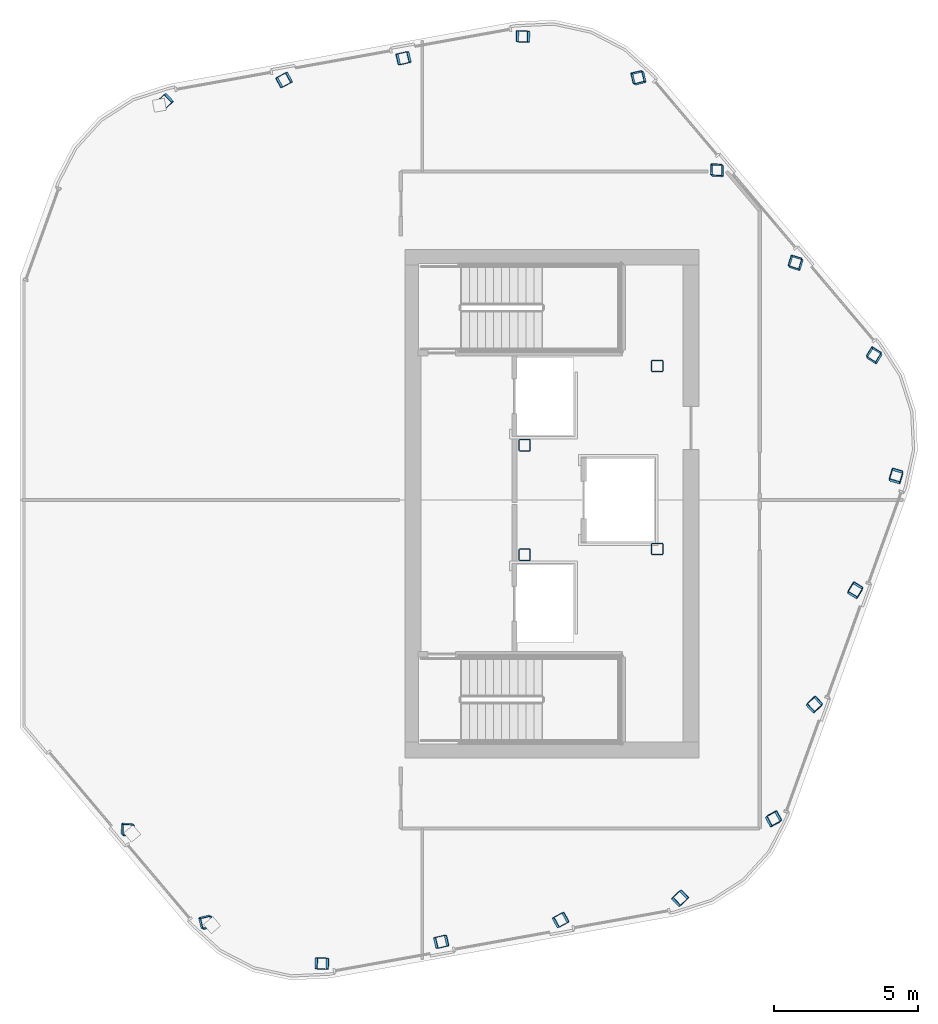
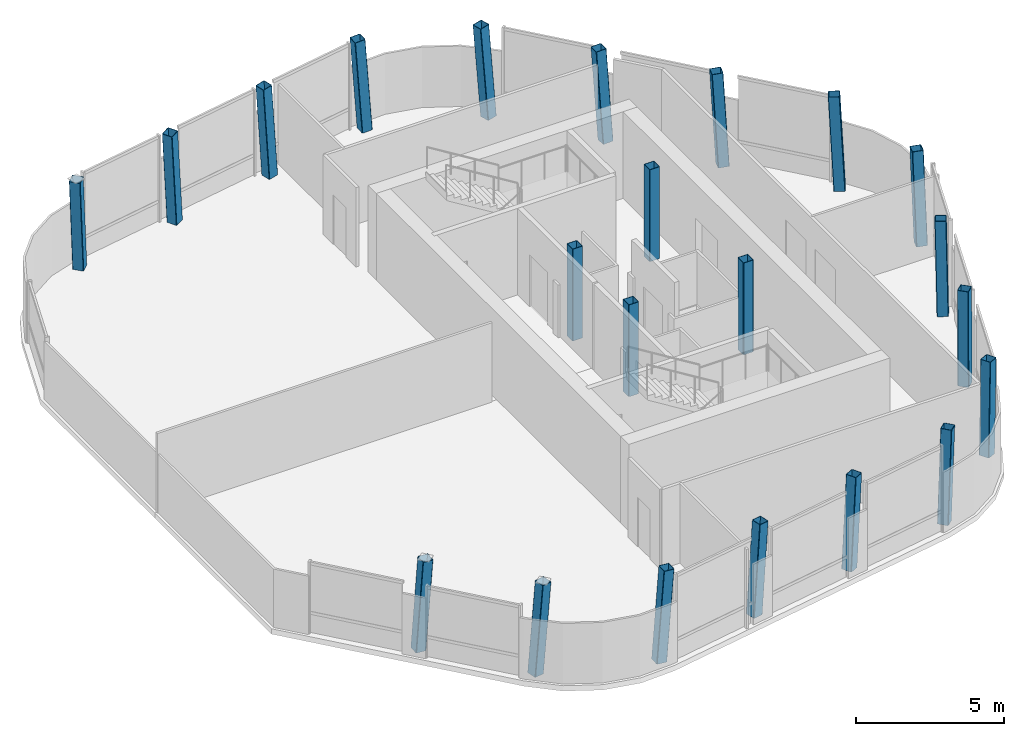
# One storey, part 1 of 8: 22 columns.
"""IFC4 building model written with IfcOpenShell, lengths in metres."""

from ifc_helpers import new_model, si_unit, direction, frame, origin, origin_2d, place, context, subcontext, project, spatial, hollow_rectangle, extrude, material, material_profile, profile_set, type_object, element, save


model = new_model("IFC4")

# Units and contexts
model_context = context("Model", 3, precision=1e-05, world=origin(), true_north=direction((0.0, 1.0)))
body_context = subcontext(model_context, "Body", "Model", "MODEL_VIEW")
ifc_project = project(units=[si_unit("LENGTHUNIT", "METRE"), si_unit("AREAUNIT", "SQUARE_METRE"), si_unit("VOLUMEUNIT", "CUBIC_METRE"), si_unit("PLANEANGLEUNIT", "RADIAN"), si_unit("MASSUNIT", "GRAM", prefix="KILO")], contexts=[model_context])

# Site, building, storey
site_placement = place(None, origin())
site = spatial("IfcSite", under=ifc_project, at=site_placement, CompositionType="ELEMENT")
building_placement = place(site_placement, origin())
building = spatial("IfcBuilding", under=site, at=building_placement, Name="Valkerne Bourse Tower", CompositionType="ELEMENT")
storey_placement = place(building_placement, frame((0.0, 0.0, 326.800048828125)))
storey = spatial("IfcBuildingStorey", under=building, at=storey_placement, Name="L83", CompositionType="ELEMENT", Elevation=326.800048828125)

# Columns
ifc_material = material(Name="Steel ASTM A500 Grade C", Category="steel")
ifc_material_profile = material_profile(ifc_material, hollow_rectangle(XDim=0.39990234375, YDim=0.39990234375, WallThickness=0.01611328125, OuterFilletRadius=0.031982421875, at=origin_2d()), Name="HSS400X400X16")
ifc_profile_set = profile_set([ifc_material_profile], Name="Steel ASTM A500 Grade C")
column_type = type_object("IfcColumnType", Name="COL-HSS400X400X16", PredefinedType="COLUMN", material=ifc_profile_set)
for number, where, z_axis, x_axis, name in (
    (1, (50.35009765625, 25.10009765625, 0.0048828125), (0.0, 0.0, 1.0), (1.0, 0.0, 0.0), "L83 Core Frame Column CC-CE1"),
    (2, (50.35009765625, 28.89990234375, 0.0048828125), (0.0, 0.0, 1.0), (1.0, 0.0, 0.0), "L83 Core Frame Column CC-CE2"),
    (3, (54.949951171875, 25.300048828125, 0.0048828125), (0.0, 0.0, 1.0), (1.0, 0.0, 0.0), "L83 Core Frame Column CC-SE"),
    (4, (54.949951171875, 31.64990234375, 0.0048828125), (0.0, 0.0, 1.0), (1.0, 0.0, 0.0), "L83 Core Frame Column CC-NE"),
):
    element("IfcColumn", number, at=place(storey_placement, frame(where, z_axis=z_axis, x_axis=x_axis)), inside=storey, type_object=column_type, Name=name, PredefinedType="COLUMN", context=body_context, shape_type="SweptSolid", body=[
        extrude(hollow_rectangle(XDim=0.39990234375, YDim=0.39990234375, WallThickness=0.01611328125, OuterFilletRadius=0.031982421875, at=origin_2d()), origin(), (0.0, 0.0, 1.0), 3.795166015625),
    ])
column_1_placement = place(storey_placement, frame((50.32666015625, 43.077392578125, 0.010009765625), z_axis=(-0.066738998458, 0.014107954307, 0.99767072309), x_axis=(0.03069841611, 0.999455696754, -0.012079630561)))
element("IfcColumn", 5, at=column_1_placement, inside=storey, type_object=column_type, Name="L83 Helical Perimeter Tube Column F1-C1", PredefinedType="COLUMN", context=body_context, shape_type="SweptSolid", body=[
    extrude(hollow_rectangle(XDim=0.39990234375, YDim=0.39990234375, WallThickness=0.01611328125, OuterFilletRadius=0.031982421875, at=origin_2d()), origin(), (0.0, 0.0, 1.0), 3.789794921875),
])
for number, where, z_axis, x_axis, name in (
    (6, (46.18115234375, 42.33154296875, 0.010009765625), (-0.063537355349, -0.003093096406, 0.997974667629), (-0.224372532221, 0.974438335967, -0.011264820601), "L83 Helical Perimeter Tube Column F1-C2"),
    (7, (42.035888671875, 41.585693359375, 0.010009765625), (-0.060315355881, -0.020233997593, 0.997974269802), (-0.48057311285, 0.876882296618, -0.011265925776), "L83 Helical Perimeter Tube Column F1-C3"),
):
    element("IfcColumn", number, at=place(storey_placement, frame(where, z_axis=z_axis, x_axis=x_axis)), inside=storey, type_object=column_type, Name=name, PredefinedType="COLUMN", context=body_context, shape_type="SweptSolid", body=[
        extrude(hollow_rectangle(XDim=0.39990234375, YDim=0.39990234375, WallThickness=0.01611328125, OuterFilletRadius=0.031982421875, at=origin_2d()), origin(), (0.0, 0.0, 1.0), 3.78857421875),
    ])
column_2_placement = place(storey_placement, frame((37.890380859375, 40.839599609375, 0.010009765625), z_axis=(-0.057075999594, -0.037363521179, 0.997670435342), x_axis=(-0.686867418958, 0.726682333138, -0.012080375798)))
element("IfcColumn", 8, at=column_2_placement, inside=storey, type_object=column_type, Name="L83 Helical Perimeter Tube Column F1-C4", PredefinedType="COLUMN", context=body_context, shape_type="SweptSolid", body=[
    extrude(hollow_rectangle(XDim=0.39990234375, YDim=0.39990234375, WallThickness=0.01611328125, OuterFilletRadius=0.031982421875, at=origin_2d()), origin(), (0.0, 0.0, 1.0), 3.789794921875),
])
column_3_placement = place(storey_placement, frame((36.550537109375, 15.581298828125, 0.010009765625), z_axis=(0.047685155478, -0.042143367138, 0.997972976865), x_axis=(0.998594357516, -0.021133833495, -0.048607306235)))
element("IfcColumn", 9, at=column_3_placement, inside=storey, type_object=column_type, Name="L83 Helical Perimeter Tube Column F3-C3", PredefinedType="COLUMN", context=body_context, shape_type="SweptSolid", body=[
    extrude(hollow_rectangle(XDim=0.39990234375, YDim=0.39990234375, WallThickness=0.01611328125, OuterFilletRadius=0.031982421875, at=origin_2d()), origin(), (0.0, 0.0, 1.0), 3.78857421875),
])
for number, where, z_axis, x_axis, name in (
    (10, (39.269287109375, 12.3642578125, 0.010009765625), (0.060876877935, -0.030728328862, 0.997672178392), (0.971119449218, 0.23283931598, -0.052085202156), "L83 Helical Perimeter Tube Column F3-C4"),
    (11, (43.273193359375, 10.922607421875, 0.010009765625), (0.066803130995, -0.014107893624, 0.997666431743), (0.030504129067, 0.999461511074, 0.012090739916), "L83 Helical Perimeter Tube Column F4-C1"),
):
    element("IfcColumn", number, at=place(storey_placement, frame(where, z_axis=z_axis, x_axis=x_axis)), inside=storey, type_object=column_type, Name=name, PredefinedType="COLUMN", context=body_context, shape_type="SweptSolid", body=[
        extrude(hollow_rectangle(XDim=0.39990234375, YDim=0.39990234375, WallThickness=0.01611328125, OuterFilletRadius=0.031982421875, at=origin_2d()), origin(), (0.0, 0.0, 1.0), 3.789794921875),
    ])
for number, where, z_axis, x_axis, name in (
    (12, (47.418701171875, 11.66845703125, 0.010009765625), (0.063537355349, 0.003093096406, 0.997974667629), (-0.224372532221, 0.974438335967, 0.011264820601), "L83 Helical Perimeter Tube Column F4-C2"),
    (13, (51.564208984375, 12.414306640625, 0.010009765625), (0.060315355881, 0.020233997593, 0.997974269802), (-0.48057311285, 0.876882296618, 0.011265925776), "L83 Helical Perimeter Tube Column F4-C3"),
):
    element("IfcColumn", number, at=place(storey_placement, frame(where, z_axis=z_axis, x_axis=x_axis)), inside=storey, type_object=column_type, Name=name, PredefinedType="COLUMN", context=body_context, shape_type="SweptSolid", body=[
        extrude(hollow_rectangle(XDim=0.39990234375, YDim=0.39990234375, WallThickness=0.01611328125, OuterFilletRadius=0.031982421875, at=origin_2d()), origin(), (0.0, 0.0, 1.0), 3.78857421875),
    ])
for number, where, z_axis, x_axis, name in (
    (14, (55.709716796875, 13.160400390625, 0.010009765625), (0.057011789235, 0.037363658481, 0.997674101555), (-0.687244016254, 0.726326342663, 0.012070877229), "L83 Helical Perimeter Tube Column F4-C4"),
    (15, (58.960205078125, 15.906982421875, 0.010009765625), (0.045544751874, 0.050827170054, 0.997668419046), (-0.878703681412, -0.47302912998, 0.06421279049), "L83 Helical Perimeter Tube Column F5-C1"),
):
    element("IfcColumn", number, at=place(storey_placement, frame(where, z_axis=z_axis, x_axis=x_axis)), inside=storey, type_object=column_type, Name=name, PredefinedType="COLUMN", context=body_context, shape_type="SweptSolid", body=[
        extrude(hollow_rectangle(XDim=0.39990234375, YDim=0.39990234375, WallThickness=0.01611328125, OuterFilletRadius=0.031982421875, at=origin_2d()), origin(), (0.0, 0.0, 1.0), 3.789794921875),
    ])
for number, where, z_axis, x_axis, name in (
    (16, (60.38671875, 19.8701171875, 0.010009765625), (0.029126616221, 0.056577807616, 0.997973242083), (-0.730953230481, -0.679796005819, 0.059872909749), "L83 Helical Perimeter Tube Column F5-C2"),
    (17, (61.813720703125, 23.8330078125, 0.010009765625), (0.01263011901, 0.062377322457, 0.997972719936), (-0.518341889864, -0.85307443831, 0.05988061385), "L83 Helical Perimeter Tube Column F5-C3"),
):
    element("IfcColumn", number, at=place(storey_placement, frame(where, z_axis=z_axis, x_axis=x_axis)), inside=storey, type_object=column_type, Name=name, PredefinedType="COLUMN", context=body_context, shape_type="SweptSolid", body=[
        extrude(hollow_rectangle(XDim=0.39990234375, YDim=0.39990234375, WallThickness=0.01611328125, OuterFilletRadius=0.031982421875, at=origin_2d()), origin(), (0.0, 0.0, 1.0), 3.78857421875),
    ])
for number, where, z_axis, x_axis, name in (
    (18, (63.240478515625, 27.796142578125, 0.010009765625), (-0.003865196233, 0.06809187364, 0.997671567703), (-0.284994934049, -0.956378673358, 0.064169468696), "L83 Helical Perimeter Tube Column F5-C4"),
    (19, (62.48681640625, 31.984619140625, 0.010009765625), (-0.0211941845, 0.064806533759, 0.997672751821), (0.850347530414, -0.523638116199, 0.052078793982), "L83 Helical Perimeter Tube Column F6-C1"),
):
    element("IfcColumn", number, at=place(storey_placement, frame(where, z_axis=z_axis, x_axis=x_axis)), inside=storey, type_object=column_type, Name=name, PredefinedType="COLUMN", context=body_context, shape_type="SweptSolid", body=[
        extrude(hollow_rectangle(XDim=0.39990234375, YDim=0.39990234375, WallThickness=0.01611328125, OuterFilletRadius=0.031982421875, at=origin_2d()), origin(), (0.0, 0.0, 1.0), 3.789794921875),
    ])
for number, where, z_axis, x_axis, name in (
    (20, (59.76806640625, 35.20166015625, 0.010009765625), (-0.034410729243, 0.053484841332, 0.997975587608), (0.955244126321, -0.291803065219, 0.048576025543), "L83 Helical Perimeter Tube Column F6-C2"),
    (21, (57.04931640625, 38.418701171875, 0.010009765625), (-0.047620862309, 0.04214349655, 0.997976041382), (0.998581703415, -0.021805497592, 0.048570586573), "L83 Helical Perimeter Tube Column F6-C3"),
):
    element("IfcColumn", number, at=place(storey_placement, frame(where, z_axis=z_axis, x_axis=x_axis)), inside=storey, type_object=column_type, Name=name, PredefinedType="COLUMN", context=body_context, shape_type="SweptSolid", body=[
        extrude(hollow_rectangle(XDim=0.39990234375, YDim=0.39990234375, WallThickness=0.01611328125, OuterFilletRadius=0.031982421875, at=origin_2d()), origin(), (0.0, 0.0, 1.0), 3.78857421875),
    ])
column_4_placement = place(storey_placement, frame((54.330810546875, 41.6357421875, 0.010009765625), z_axis=(-0.060941058794, 0.030728208293, 0.997668263787), x_axis=(0.971017659561, 0.233253681083, 0.052128927492)))
element("IfcColumn", 22, at=column_4_placement, inside=storey, type_object=column_type, Name="L83 Helical Perimeter Tube Column F6-C4", PredefinedType="COLUMN", context=body_context, shape_type="SweptSolid", body=[
    extrude(hollow_rectangle(XDim=0.39990234375, YDim=0.39990234375, WallThickness=0.01611328125, OuterFilletRadius=0.031982421875, at=origin_2d()), origin(), (0.0, 0.0, 1.0), 3.789794921875),
])

save(model, "model.ifc")
